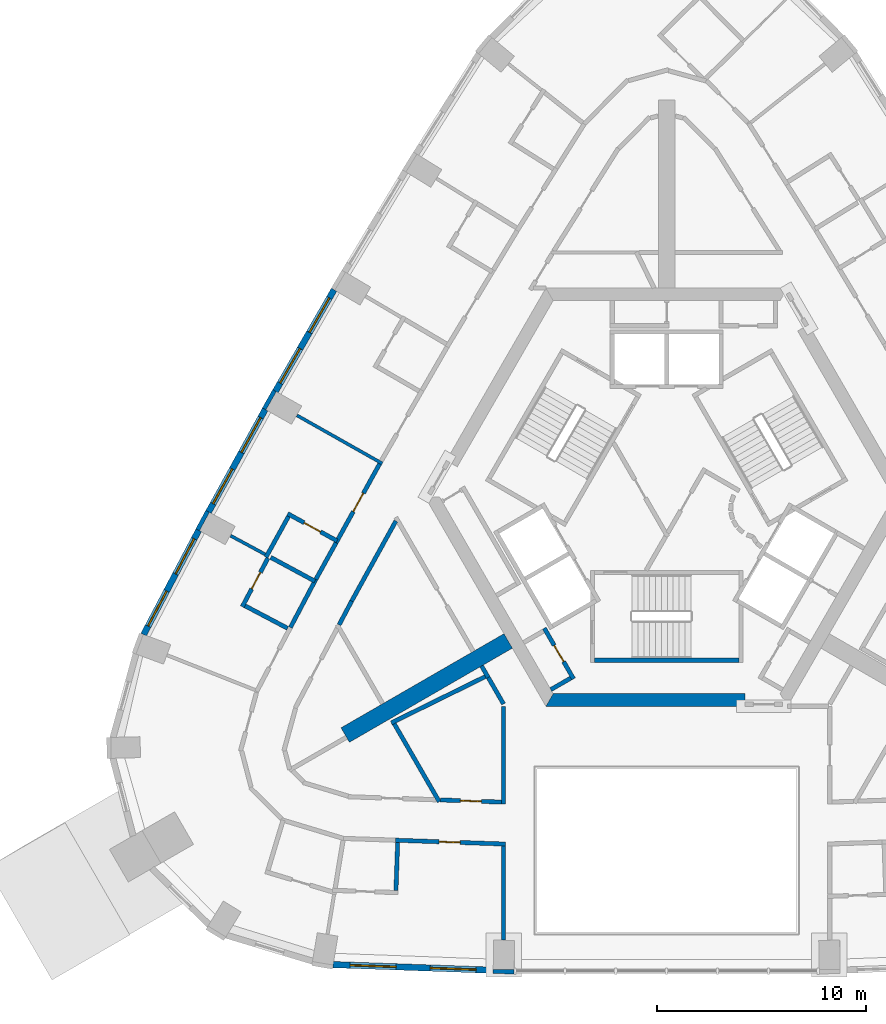
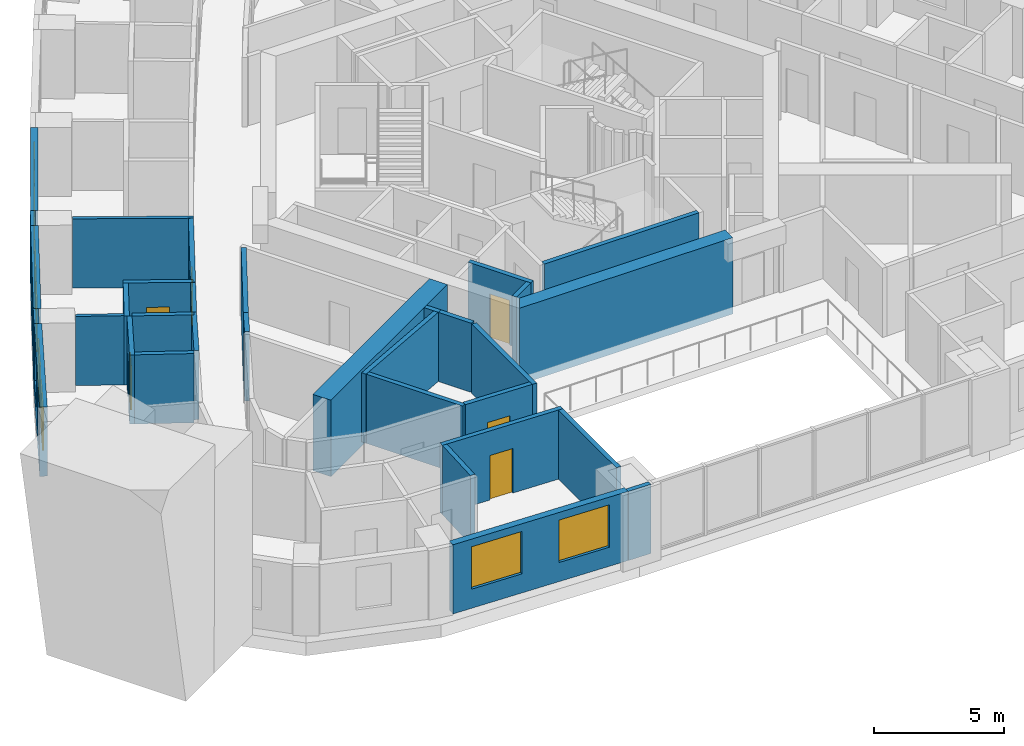
# One storey, part 4 of 14: 33 walls, 8 windows, 6 doors, 14 openings.
"""IFC4 building model written with IfcOpenShell, lengths in metres."""

from ifc_helpers import new_model, si_unit, direction, frame, frame_2d, origin, place, context, subcontext, project, spatial, polyline, rectangle, outline, extrude, material, layer, layer_set, type_object, element, fill, save


model = new_model("IFC4")

# Units and contexts
model_context = context("Model", 3, precision=1e-05, world=origin(), true_north=direction((0.0, 1.0)))
body_context = subcontext(model_context, "Body", "Model", "MODEL_VIEW")
ifc_project = project(units=[si_unit("LENGTHUNIT", "METRE"), si_unit("AREAUNIT", "SQUARE_METRE"), si_unit("VOLUMEUNIT", "CUBIC_METRE"), si_unit("PLANEANGLEUNIT", "RADIAN"), si_unit("MASSUNIT", "GRAM", prefix="KILO")], contexts=[model_context])

# Site, building, storey
site_placement = place(None, origin())
site = spatial("IfcSite", under=ifc_project, at=site_placement, CompositionType="ELEMENT")
building_placement = place(site_placement, origin())
building = spatial("IfcBuilding", under=site, at=building_placement, Name="Entoto Arch Interchange Tower", CompositionType="ELEMENT")
storey_placement = place(building_placement, frame((0.0, 0.0, 252.199951171875)))
storey = spatial("IfcBuildingStorey", under=building, at=storey_placement, Name="L57", CompositionType="ELEMENT", Elevation=252.199951171875)

# Walls
ifc_material_1 = material(Name="Concrete C40/50", Category="concrete")
ifc_layer_1 = layer(ifc_material_1, 0.800048828125)
ifc_layer_set_1 = layer_set([ifc_layer_1], Name="Concrete C40/50")
wall_type_1 = type_object("IfcWallType", Name="Buttress wall 800 C40/50", PredefinedType="SHEAR", material=ifc_layer_set_1)
wall_1_placement = place(storey_placement, frame((-7.577880859375, -4.375, -0.33984375), z_axis=(0.0, 0.0, 1.0), x_axis=(-0.866024315419, -0.5000018851, 0.0)))
element("IfcWall", 1, at=wall_1_placement, inside=storey, type_object=wall_type_1, Name="Buttress wall SW L57", PredefinedType="SHEAR", context=body_context, shape_type="SweptSolid", body=[
    extrude(rectangle(XDim=9.0, YDim=0.800048828125, at=frame_2d((4.5, 0.0))), origin(), (0.0, 0.0, 1.0), 3.599853515625),
])
ifc_layer_2 = layer(ifc_material_1, 0.60009765625)
ifc_layer_set_2 = layer_set([ifc_layer_2], Name="Concrete C40/50")
wall_type_2 = type_object("IfcWallType", Name="Core wall 600 C40/50", PredefinedType="SHEAR", material=ifc_layer_set_2)
wall_2_placement = place(storey_placement, frame((0.0, 0.0, -0.33984375)))
element("IfcWall", 2, at=wall_2_placement, inside=storey, type_object=wall_type_2, Name="Core wall S L57", PredefinedType="SHEAR", context=body_context, shape_type="SweptSolid", body=[
    extrude(outline(polyline([(3.75, -7.5), (3.75, -6.89990234375), (-5.427001953125, -6.89990234375), (-5.77392578125, -7.5), (3.75, -7.5)])), origin(), (0.0, 0.0, 1.0), 3.599853515625),
])
ifc_material_2 = material(Name="Gypsum board partition on steel studs", Category="steel")
ifc_layer_3 = layer(ifc_material_2, 0.14990234375)
ifc_layer_set_3 = layer_set([ifc_layer_3], Name="Gypsum board partition on steel studs")
wall_type_3 = type_object("IfcWallType", Name="PARTITION 150", PredefinedType="PARTITIONING", material=ifc_layer_set_3)
wall_3_placement = place(storey_placement, frame((-13.60205078125, 4.110107421875, 0.0), z_axis=(0.0, 0.0, 1.0), x_axis=(-0.870787203306, 0.491660092502, 0.0)))
element("IfcWall", 3, at=wall_3_placement, inside=storey, type_object=wall_type_3, Name="wall:L57:p167", PredefinedType="PARTITIONING", context=body_context, shape_type="SweptSolid", body=[
    extrude(rectangle(XDim=4.6796875, YDim=0.14990234375, at=frame_2d((2.33984375, 0.0))), origin(), (0.0, 0.0, 1.0), 3.260009765625),
])
wall_4_placement = place(storey_placement, frame((-19.198974609375, -0.235107421875, 0.0), z_axis=(0.0, 0.0, 1.0), x_axis=(-0.880166754904, 0.474664601126, 0.0)))
element("IfcWall", 4, at=wall_4_placement, inside=storey, type_object=wall_type_3, Name="wall:L57:p170", PredefinedType="PARTITIONING", context=body_context, shape_type="SweptSolid", body=[
    extrude(rectangle(XDim=1.88134765625, YDim=0.14990234375, at=frame_2d((0.940673828125, 0.0))), origin(), (0.0, 0.0, 1.0), 3.260009765625),
])
ifc_layer_4 = layer(ifc_material_2, 0.199951171875)
ifc_layer_set_4 = layer_set([ifc_layer_4], Name="Gypsum board partition on steel studs")
wall_type_4 = type_object("IfcWallType", Name="PARTITION 200", PredefinedType="PARTITIONING", material=ifc_layer_set_4)
wall_5_placement = place(storey_placement, frame((-8.531982421875, -6.123046875, 0.0), z_axis=(0.0, 0.0, 1.0), x_axis=(-0.499977104415, 0.866038622153, 0.0)))
element("IfcWall", 5, at=wall_5_placement, inside=storey, type_object=wall_type_4, Name="wall:L57:p025", PredefinedType="PARTITIONING", context=body_context, shape_type="SweptSolid", body=[
    extrude(rectangle(XDim=0.63623046875, YDim=0.199951171875, at=frame_2d((0.318115234375, 0.0))), origin(), (0.0, 0.0, 1.0), 3.260009765625),
])
wall_6_placement = place(storey_placement, frame((-12.949951171875, 1.360107421875, 0.0), z_axis=(0.0, 0.0, 1.0), x_axis=(-0.483418231124, -0.875389521194, 0.0)))
element("IfcWall", 6, at=wall_6_placement, inside=storey, type_object=wall_type_4, Name="wall:L57:p026", PredefinedType="PARTITIONING", context=body_context, shape_type="SweptSolid", body=[
    extrude(rectangle(XDim=4.373046875, YDim=0.199951171875, at=frame_2d((2.1865234375, 0.0))), origin(), (0.0, 0.0, 1.0), 3.260009765625),
])
wall_7_placement = place(storey_placement, frame((-15.06396484375, -2.468017578125, 0.0), z_axis=(0.0, 0.0, 1.0), x_axis=(-0.467126648849, -0.884190417238, 0.0)))
element("IfcWall", 7, at=wall_7_placement, inside=storey, type_object=wall_type_4, Name="wall:L57:p027", PredefinedType="PARTITIONING", context=body_context, shape_type="SweptSolid", body=[
    extrude(rectangle(XDim=1.282470703125, YDim=0.199951171875, at=frame_2d((0.64111328125, 0.0))), origin(), (0.0, 0.0, 1.0), 3.260009765625),
])
wall_8_placement = place(storey_placement, frame((-7.800048828125, -7.389892578125, 0.0), z_axis=(0.0, 0.0, 1.0), x_axis=(-0.500266477503, 0.865871498253, 0.0)))
element("IfcWall", 8, at=wall_8_placement, inside=storey, type_object=wall_type_4, Name="wall:L57:p028", PredefinedType="PARTITIONING", context=body_context, shape_type="SweptSolid", body=[
    extrude(rectangle(XDim=1.463134765625, YDim=0.199951171875, at=frame_2d((0.7314453125, 0.0))), origin(), (0.0, 0.0, 1.0), 3.260009765625),
])

# Wall, opening, door
wall_9_placement = place(storey_placement, frame((-10.825927734375, -11.97802734375, 0.0), z_axis=(0.0, 0.0, 1.0), x_axis=(0.999380679818, -0.035188873332, 0.0)))
wall_9 = element("IfcWall", 9, at=wall_9_placement, inside=storey, type_object=wall_type_4, Name="wall:L57:p029", PredefinedType="PARTITIONING", context=body_context, shape_type="SweptSolid", body=[
    extrude(rectangle(XDim=2.927734375, YDim=0.199951171875, at=frame_2d((1.4638671875, 0.0))), origin(), (0.0, 0.0, 1.0), 3.260009765625),
])
opening_1_placement = place(wall_9_placement, frame((0.964111328125, 0.0, 0.0)))
opening_1 = element("IfcOpeningElement", 10, at=opening_1_placement, cuts=wall_9, Name="Opening L57-D41", PredefinedType="OPENING", context=body_context, shape_type="SweptSolid", body=[
    extrude(rectangle(XDim=1.0, YDim=2.10009765625, at=frame_2d((0.5, 1.050048828125))), frame((0.0, 0.10986328125, 0.0), z_axis=(0.0, -1.0, 0.0), x_axis=(1.0, 0.0, 0.0)), (0.0, 0.0, 1.0), 0.219970703125),
])
ifc_material_3 = material(Name="Timber door leaf in Steel S235 frame", Category="steel")
door_type_1 = type_object("IfcDoorType", Name="DOOR DS-10 1000x2100", OperationType="SINGLE_SWING_LEFT", PredefinedType="DOOR", material=ifc_material_3)
door_1_placement = place(opening_1_placement, origin())
door_1 = element("IfcDoor", 11, at=door_1_placement, inside=storey, type_object=door_type_1, Name="door:L57:41", OperationType="SINGLE_SWING_LEFT", OverallHeight=2.10009765625, OverallWidth=1.0, PredefinedType="DOOR", context=body_context, shape_type="SweptSolid", body=[
    extrude(rectangle(XDim=1.0, YDim=2.10009765625, at=frame_2d((0.5, 1.050048828125))), frame((0.0, 0.02490234375, 0.0), z_axis=(0.0, -1.0, 0.0), x_axis=(1.0, 0.0, 0.0)), (0.0, 0.0, 1.0), 0.050048828125),
])
fill(opening_1, door_1)

wall_10_placement = place(storey_placement, frame((-15.80908203125, 0.320068359375, 0.0), z_axis=(0.0, 0.0, 1.0), x_axis=(0.483322920175, 0.875442148193, 0.0)))
wall_10 = element("IfcWall", 12, at=wall_10_placement, inside=storey, type_object=wall_type_4, Name="wall:L57:p062", PredefinedType="PARTITIONING", context=body_context, shape_type="SweptSolid", body=[
    extrude(rectangle(XDim=4.309814453125, YDim=0.199951171875, at=frame_2d((2.15478515625, 0.0))), origin(), (0.0, 0.0, 1.0), 3.260009765625),
])
opening_2_placement = place(wall_10_placement, frame((1.705078125, 0.0, 0.0)))
opening_2 = element("IfcOpeningElement", 13, at=opening_2_placement, cuts=wall_10, Name="Opening L57-D25", PredefinedType="OPENING", context=body_context, shape_type="SweptSolid", body=[
    extrude(rectangle(XDim=1.0, YDim=2.10009765625, at=frame_2d((0.5, 1.050048828125))), frame((0.0, 0.10986328125, 0.0), z_axis=(0.0, -1.0, 0.0), x_axis=(1.0, 0.0, 0.0)), (0.0, 0.0, 1.0), 0.219970703125),
])
ifc_material_4 = material(Name="Fire-rated Steel S235 door and frame", Category="steel")
door_type_2 = type_object("IfcDoorType", Name="DOOR FD-10 1000x2100", OperationType="SINGLE_SWING_LEFT", PredefinedType="DOOR", material=ifc_material_4)
door_2_placement = place(opening_2_placement, origin())
door_2 = element("IfcDoor", 14, at=door_2_placement, inside=storey, type_object=door_type_2, Name="door:L57:25", OperationType="SINGLE_SWING_RIGHT", OverallHeight=2.10009765625, OverallWidth=1.0, PredefinedType="DOOR", context=body_context, shape_type="SweptSolid", body=[
    extrude(rectangle(XDim=1.0, YDim=2.10009765625, at=frame_2d((0.5, 1.050048828125))), frame((0.0, 0.02490234375, 0.0), z_axis=(0.0, -1.0, 0.0), x_axis=(1.0, 0.0, 0.0)), (0.0, 0.0, 1.0), 0.050048828125),
])
fill(opening_2, door_2)

# Walls
wall_11_placement = place(storey_placement, frame((-16.77587890625, -1.429931640625, 0.0), z_axis=(0.0, 0.0, 1.0), x_axis=(0.48360724937, 0.87528511261, 0.0)))
element("IfcWall", 15, at=wall_11_placement, inside=storey, type_object=wall_type_4, Name="wall:L57:p063", PredefinedType="PARTITIONING", context=body_context, shape_type="SweptSolid", body=[
    extrude(rectangle(XDim=1.9970703125, YDim=0.199951171875, at=frame_2d((0.99853515625, 0.0))), origin(), (0.0, 0.0, 1.0), 3.260009765625),
])
wall_12_placement = place(storey_placement, frame((-17.990966796875, -3.72900390625, 0.0), z_axis=(0.0, 0.0, 1.0), x_axis=(0.466450569784, 0.88454726609, 0.0)))
element("IfcWall", 16, at=wall_12_placement, inside=storey, type_object=wall_type_4, Name="wall:L57:p065", PredefinedType="PARTITIONING", context=body_context, shape_type="SweptSolid", body=[
    extrude(rectangle(XDim=2.600341796875, YDim=0.199951171875, at=frame_2d((1.30029296875, 0.0))), origin(), (0.0, 0.0, 1.0), 3.260009765625),
])

# Wall, opening, door
wall_13_placement = place(storey_placement, frame((-7.699951171875, -14.089111328125, 0.0), z_axis=(0.0, 0.0, 1.0), x_axis=(-0.999388410674, 0.034968623214, 0.0)))
wall_13 = element("IfcWall", 17, at=wall_13_placement, inside=storey, type_object=wall_type_4, Name="wall:L57:p070", PredefinedType="PARTITIONING", context=body_context, shape_type="SweptSolid", body=[
    extrude(rectangle(XDim=5.26416015625, YDim=0.199951171875, at=frame_2d((2.632080078125, 0.0))), origin(), (0.0, 0.0, 1.0), 3.260009765625),
])
opening_3_placement = place(wall_13_placement, frame((2.181884765625, 0.0, 0.0)))
opening_3 = element("IfcOpeningElement", 18, at=opening_3_placement, cuts=wall_13, Name="Opening L57-D31", PredefinedType="OPENING", context=body_context, shape_type="SweptSolid", body=[
    extrude(rectangle(XDim=1.0, YDim=2.10009765625, at=frame_2d((0.5, 1.050048828125))), frame((0.0, 0.10986328125, 0.0), z_axis=(0.0, -1.0, 0.0), x_axis=(1.0, 0.0, 0.0)), (0.0, 0.0, 1.0), 0.219970703125),
])
door_3_placement = place(opening_3_placement, origin())
door_3 = element("IfcDoor", 19, at=door_3_placement, inside=storey, type_object=door_type_2, Name="door:L57:31", OperationType="SINGLE_SWING_LEFT", OverallHeight=2.10009765625, OverallWidth=1.0, PredefinedType="DOOR", context=body_context, shape_type="SweptSolid", body=[
    extrude(rectangle(XDim=1.0, YDim=2.10009765625, at=frame_2d((0.5, 1.050048828125))), frame((0.0, 0.02490234375, 0.0), z_axis=(0.0, -1.0, 0.0), x_axis=(1.0, 0.0, 0.0)), (0.0, 0.0, 1.0), 0.050048828125),
])
fill(opening_3, door_3)

wall_14_placement = place(storey_placement, frame((-5.85107421875, -3.764892578125, 0.0), z_axis=(0.0, 0.0, 1.0), x_axis=(0.500011755427, -0.866018616679, 0.0)))
wall_14 = element("IfcWall", 20, at=wall_14_placement, inside=storey, type_object=wall_type_4, Name="wall:L57:p087", PredefinedType="PARTITIONING", context=body_context, shape_type="SweptSolid", body=[
    extrude(rectangle(XDim=2.80029296875, YDim=0.199951171875, at=frame_2d((1.400146484375, 0.0))), origin(), (0.0, 0.0, 1.0), 3.260009765625),
])
opening_4_placement = place(wall_14_placement, frame((0.949951171875, 0.0, 0.0)))
opening_4 = element("IfcOpeningElement", 21, at=opening_4_placement, cuts=wall_14, Name="Opening L57-D53", PredefinedType="OPENING", context=body_context, shape_type="SweptSolid", body=[
    extrude(rectangle(XDim=0.89990234375, YDim=2.10009765625, at=frame_2d((0.449951171875, 1.050048828125))), frame((0.0, 0.10986328125, 0.0), z_axis=(0.0, -1.0, 0.0), x_axis=(1.0, 0.0, 0.0)), (0.0, 0.0, 1.0), 0.219970703125),
])
door_type_3 = type_object("IfcDoorType", Name="DOOR DS-09 900x2100", OperationType="SINGLE_SWING_LEFT", PredefinedType="DOOR", material=ifc_material_3)
door_4_placement = place(opening_4_placement, origin())
door_4 = element("IfcDoor", 22, at=door_4_placement, inside=storey, type_object=door_type_3, Name="door:L57:53", OperationType="SINGLE_SWING_RIGHT", OverallHeight=2.10009765625, OverallWidth=0.89990234375, PredefinedType="DOOR", context=body_context, shape_type="SweptSolid", body=[
    extrude(rectangle(XDim=0.89990234375, YDim=2.10009765625, at=frame_2d((0.449951171875, 1.050048828125))), frame((0.0, 0.02490234375, 0.0), z_axis=(0.0, -1.0, 0.0), x_axis=(1.0, 0.0, 0.0)), (0.0, 0.0, 1.0), 0.050048828125),
])
fill(opening_4, door_4)

# Walls
wall_15_placement = place(storey_placement, frame((-4.587890625, -6.153076171875, 0.0), z_axis=(0.0, 0.0, 1.0), x_axis=(-0.86621513555, -0.499671230855, 0.0)))
element("IfcWall", 23, at=wall_15_placement, inside=storey, type_object=wall_type_4, Name="wall:L57:p088", PredefinedType="PARTITIONING", context=body_context, shape_type="SweptSolid", body=[
    extrude(rectangle(XDim=1.100341796875, YDim=0.199951171875, at=frame_2d((0.55029296875, 0.0))), origin(), (0.0, 0.0, 1.0), 3.260009765625),
])
wall_16_placement = place(storey_placement, frame((-7.800048828125, -12.18408203125, 0.0), z_axis=(0.0, 0.0, 1.0), x_axis=(0.0, 1.0, 0.0)))
element("IfcWall", 24, at=wall_16_placement, inside=storey, type_object=wall_type_4, Name="wall:L57:p106", PredefinedType="PARTITIONING", context=body_context, shape_type="SweptSolid", body=[
    extrude(rectangle(XDim=4.68505859375, YDim=0.199951171875, at=frame_2d((2.342529296875, 0.0))), origin(), (0.0, 0.0, 1.0), 3.260009765625),
])
wall_17_placement = place(storey_placement, frame((-7.800048828125, -18.6689453125, 0.0), z_axis=(0.0, 0.0, 1.0), x_axis=(0.0, 1.0, 0.0)))
element("IfcWall", 25, at=wall_17_placement, inside=storey, type_object=wall_type_4, Name="wall:L57:p109", PredefinedType="PARTITIONING", context=body_context, shape_type="SweptSolid", body=[
    extrude(rectangle(XDim=4.48388671875, YDim=0.199951171875, at=frame_2d((2.241943359375, 0.0))), origin(), (0.0, 0.0, 1.0), 3.260009765625),
])
wall_18_placement = place(storey_placement, frame((-8.58203125, -6.035888671875, 0.0), z_axis=(0.0, 0.0, 1.0), x_axis=(-0.897105141673, -0.441817116897, 0.0)))
element("IfcWall", 26, at=wall_18_placement, inside=storey, type_object=wall_type_4, Name="wall:L57:p118", PredefinedType="PARTITIONING", context=body_context, shape_type="SweptSolid", body=[
    extrude(rectangle(XDim=5.11083984375, YDim=0.199951171875, at=frame_2d((2.555419921875, 0.0))), origin(), (0.0, 0.0, 1.0), 3.260009765625),
])
wall_19_placement = place(storey_placement, frame((-10.8759765625, -12.06201171875, 0.0), z_axis=(0.0, 0.0, 1.0), x_axis=(-0.499977877545, 0.866038175813, 0.0)))
element("IfcWall", 27, at=wall_19_placement, inside=storey, type_object=wall_type_4, Name="wall:L57:p120", PredefinedType="PARTITIONING", context=body_context, shape_type="SweptSolid", body=[
    extrude(rectangle(XDim=4.302490234375, YDim=0.199951171875, at=frame_2d((2.1513671875, 0.0))), origin(), (0.0, 0.0, 1.0), 3.260009765625),
])

# Wall, opening, door
wall_20_placement = place(storey_placement, frame((-15.760986328125, 0.407958984375, 0.0), z_axis=(0.0, 0.0, 1.0), x_axis=(-0.875391622802, 0.483414425445, 0.0)))
wall_20 = element("IfcWall", 28, at=wall_20_placement, inside=storey, type_object=wall_type_4, Name="wall:L57:p168", PredefinedType="PARTITIONING", context=body_context, shape_type="SweptSolid", body=[
    extrude(rectangle(XDim=2.699462890625, YDim=0.199951171875, at=frame_2d((1.349609375, 0.0))), origin(), (0.0, 0.0, 1.0), 3.260009765625),
])
opening_5_placement = place(wall_20_placement, frame((0.89990234375, 0.0, 0.0)))
opening_5 = element("IfcOpeningElement", 29, at=opening_5_placement, cuts=wall_20, Name="Opening L57-D26", PredefinedType="OPENING", context=body_context, shape_type="SweptSolid", body=[
    extrude(rectangle(XDim=0.89990234375, YDim=2.10009765625, at=frame_2d((0.449951171875, 1.050048828125))), frame((0.0, 0.10986328125, 0.0), z_axis=(0.0, -1.0, 0.0), x_axis=(1.0, 0.0, 0.0)), (0.0, 0.0, 1.0), 0.219970703125),
])
door_5_placement = place(opening_5_placement, origin())
door_5 = element("IfcDoor", 30, at=door_5_placement, inside=storey, type_object=door_type_3, Name="door:L57:26", OperationType="SINGLE_SWING_LEFT", OverallHeight=2.10009765625, OverallWidth=0.89990234375, PredefinedType="DOOR", context=body_context, shape_type="SweptSolid", body=[
    extrude(rectangle(XDim=0.89990234375, YDim=2.10009765625, at=frame_2d((0.449951171875, 1.050048828125))), frame((0.0, 0.02490234375, 0.0), z_axis=(0.0, -1.0, 0.0), x_axis=(1.0, 0.0, 0.0)), (0.0, 0.0, 1.0), 0.050048828125),
])
fill(opening_5, door_5)

# Walls
wall_21_placement = place(storey_placement, frame((-18.0849609375, 1.576904296875, 0.0), z_axis=(0.0, 0.0, 1.0), x_axis=(-0.483329790342, -0.875438355207, 0.0)))
element("IfcWall", 31, at=wall_21_placement, inside=storey, type_object=wall_type_4, Name="wall:L57:p169", PredefinedType="PARTITIONING", context=body_context, shape_type="SweptSolid", body=[
    extrude(rectangle(XDim=2.22412109375, YDim=0.199951171875, at=frame_2d((1.112060546875, 0.0))), origin(), (0.0, 0.0, 1.0), 3.260009765625),
])
wall_22_placement = place(storey_placement, frame((-16.823974609375, -1.51806640625, 0.0), z_axis=(0.0, 0.0, 1.0), x_axis=(-0.879879019938, 0.47519775912, 0.0)))
element("IfcWall", 32, at=wall_22_placement, inside=storey, type_object=wall_type_4, Name="wall:L57:p171", PredefinedType="PARTITIONING", context=body_context, shape_type="SweptSolid", body=[
    extrude(rectangle(XDim=2.399169921875, YDim=0.199951171875, at=frame_2d((1.19970703125, 0.0))), origin(), (0.0, 0.0, 1.0), 3.260009765625),
])

# Wall, opening, door
wall_23_placement = place(storey_placement, frame((-19.069091796875, -0.41796875, 0.0), z_axis=(0.0, 0.0, 1.0), x_axis=(-0.467007153784, -0.884253537349, 0.0)))
wall_23 = element("IfcWall", 33, at=wall_23_placement, inside=storey, type_object=wall_type_4, Name="wall:L57:p172", PredefinedType="PARTITIONING", context=body_context, shape_type="SweptSolid", body=[
    extrude(rectangle(XDim=2.624755859375, YDim=0.199951171875, at=frame_2d((1.3125, 0.0))), origin(), (0.0, 0.0, 1.0), 3.260009765625),
])
opening_6_placement = place(wall_23_placement, frame((0.762939453125, 0.0, 0.0)))
opening_6 = element("IfcOpeningElement", 34, at=opening_6_placement, cuts=wall_23, Name="Opening L57-D28", PredefinedType="OPENING", context=body_context, shape_type="SweptSolid", body=[
    extrude(rectangle(XDim=0.89990234375, YDim=2.10009765625, at=frame_2d((0.449951171875, 1.050048828125))), frame((0.0, 0.10986328125, 0.0), z_axis=(0.0, -1.0, 0.0), x_axis=(1.0, 0.0, 0.0)), (0.0, 0.0, 1.0), 0.219970703125),
])
door_6_placement = place(opening_6_placement, origin())
door_6 = element("IfcDoor", 35, at=door_6_placement, inside=storey, type_object=door_type_3, Name="door:L57:28", OperationType="SINGLE_SWING_LEFT", OverallHeight=2.10009765625, OverallWidth=0.89990234375, PredefinedType="DOOR", context=body_context, shape_type="SweptSolid", body=[
    extrude(rectangle(XDim=0.89990234375, YDim=2.10009765625, at=frame_2d((0.449951171875, 1.050048828125))), frame((0.0, 0.02490234375, 0.0), z_axis=(0.0, -1.0, 0.0), x_axis=(1.0, 0.0, 0.0)), (0.0, 0.0, 1.0), 0.050048828125),
])
fill(opening_6, door_6)

# Walls
wall_24_placement = place(storey_placement, frame((-20.159912109375, -2.697021484375, 0.0), z_axis=(0.0, 0.0, 1.0), x_axis=(0.884293452572, -0.466931568583, 0.0)))
element("IfcWall", 36, at=wall_24_placement, inside=storey, type_object=wall_type_4, Name="wall:L57:p173", PredefinedType="PARTITIONING", context=body_context, shape_type="SweptSolid", body=[
    extrude(rectangle(XDim=2.300048828125, YDim=0.199951171875, at=frame_2d((1.14990234375, 0.0))), origin(), (0.0, 0.0, 1.0), 3.260009765625),
])
wall_25_placement = place(storey_placement, frame((-12.945068359375, -16.306884765625, 0.0), z_axis=(0.0, 0.0, 1.0), x_axis=(0.035252193458, 0.999378448265, 0.0)))
element("IfcWall", 37, at=wall_25_placement, inside=storey, type_object=wall_type_4, Name="wall:L57:p180", PredefinedType="PARTITIONING", context=body_context, shape_type="SweptSolid", body=[
    extrude(rectangle(XDim=2.29931640625, YDim=0.199951171875, at=frame_2d((1.149658203125, 0.0))), origin(), (0.0, 0.0, 1.0), 3.260009765625),
])
ifc_layer_5 = layer(ifc_material_1, 0.199951171875)
ifc_layer_set_5 = layer_set([ifc_layer_5], Name="Concrete C40/50")
wall_type_5 = type_object("IfcWallType", Name="STAIR ENCLOSURE WALL 200", PredefinedType="STANDARD", material=ifc_layer_set_5)
wall_26_placement = place(storey_placement, frame((-3.449951171875, -5.300048828125, 0.0), z_axis=(0.0, 0.0, 1.0), x_axis=(1.0, 0.0, 0.0)))
element("IfcWall", 38, at=wall_26_placement, inside=storey, type_object=wall_type_5, Name="Stair wall ST-S back", PredefinedType="STANDARD", context=body_context, shape_type="SweptSolid", body=[
    extrude(rectangle(XDim=6.89990234375, YDim=0.199951171875, at=frame_2d((3.449951171875, 0.0))), origin(), (0.0, 0.0, 1.0), 3.260009765625),
])

# Wall, openings, windows
ifc_material_5 = material(Name="Welded tuff (ignimbrite) cladding, warm buff", Category="masonry")
ifc_layer_6 = layer(ifc_material_5, 0.300048828125)
ifc_layer_set_6 = layer_set([ifc_layer_6], Name="Welded tuff (ignimbrite) cladding, warm buff")
wall_type_6 = type_object("IfcWallType", Name="STONE INFILL WALL 300", PredefinedType="STANDARD", material=ifc_layer_set_6)
wall_27_placement = place(storey_placement, frame((-15.951904296875, -19.85400390625, 0.0), z_axis=(0.0, 0.0, 1.0), x_axis=(0.999387577449, -0.034992428331, 0.0)))
wall_27 = element("IfcWall", 39, at=wall_27_placement, inside=storey, type_object=wall_type_6, Name="Facade wall S-01 L57", PredefinedType="STANDARD", context=body_context, shape_type="SweptSolid", body=[
    extrude(rectangle(XDim=7.66064453125, YDim=0.300048828125, at=frame_2d((3.830322265625, 0.0))), origin(), (0.0, 0.0, 1.0), 3.260009765625),
])
opening_7_placement = place(wall_27_placement, frame((0.81494140625, 0.0, 0.89990234375)))
opening_7 = element("IfcOpeningElement", 40, at=opening_7_placement, cuts=wall_27, Name="Opening WH-A", PredefinedType="OPENING", context=body_context, shape_type="SweptSolid", body=[
    extrude(rectangle(XDim=2.199951171875, YDim=2.0, at=frame_2d((1.10009765625, 1.0))), frame((0.0, 0.16015625, 0.0), z_axis=(0.0, -1.0, 0.0), x_axis=(1.0, 0.0, 0.0)), (0.0, 0.0, 1.0), 0.320068359375),
])
opening_8_placement = place(wall_27_placement, frame((4.64599609375, 0.0, 0.89990234375)))
opening_8 = element("IfcOpeningElement", 41, at=opening_8_placement, cuts=wall_27, Name="Opening WH-A", PredefinedType="OPENING", context=body_context, shape_type="SweptSolid", body=[
    extrude(rectangle(XDim=2.199951171875, YDim=2.0, at=frame_2d((1.10009765625, 1.0))), frame((0.0, 0.16015625, 0.0), z_axis=(0.0, -1.0, 0.0), x_axis=(1.0, 0.0, 0.0)), (0.0, 0.0, 1.0), 0.320068359375),
])
ifc_material_6 = material(Name="Clear glass, low-e double glazed", Category="glass")
window_type_1 = type_object("IfcWindowType", Name="WINDOW WH-A 2200x2000", PartitioningType="DOUBLE_PANEL_VERTICAL", PredefinedType="WINDOW", material=ifc_material_6)
window_1_placement = place(opening_7_placement, origin())
window_1 = element("IfcWindow", 42, at=window_1_placement, inside=storey, type_object=window_type_1, Name="Window WH-A S-01 L57", OverallHeight=2.0, OverallWidth=2.199951171875, PartitioningType="SINGLE_PANEL", PredefinedType="WINDOW", context=body_context, shape_type="SweptSolid", body=[
    extrude(rectangle(XDim=2.199951171875, YDim=2.0, at=frame_2d((1.10009765625, 1.0))), frame((0.0, 0.030029296875, 0.0), z_axis=(0.0, -1.0, 0.0), x_axis=(1.0, 0.0, 0.0)), (0.0, 0.0, 1.0), 0.06005859375),
])
fill(opening_7, window_1)
window_2_placement = place(opening_8_placement, origin())
window_2 = element("IfcWindow", 43, at=window_2_placement, inside=storey, type_object=window_type_1, Name="Window WH-A S-01 L57", OverallHeight=2.0, OverallWidth=2.199951171875, PartitioningType="SINGLE_PANEL", PredefinedType="WINDOW", context=body_context, shape_type="SweptSolid", body=[
    extrude(rectangle(XDim=2.199951171875, YDim=2.0, at=frame_2d((1.10009765625, 1.0))), frame((0.0, 0.030029296875, 0.0), z_axis=(0.0, -1.0, 0.0), x_axis=(1.0, 0.0, 0.0)), (0.0, 0.0, 1.0), 0.06005859375),
])
fill(opening_8, window_2)

wall_28_placement = place(storey_placement, frame((-15.906005859375, 12.41796875, 0.0), z_axis=(0.0, 0.0, 1.0), x_axis=(-0.500089564757, -0.865973687372, 0.0)))
wall_28 = element("IfcWall", 44, at=wall_28_placement, inside=storey, type_object=wall_type_6, Name="Facade wall NW-03 L57", PredefinedType="STANDARD", context=body_context, shape_type="SweptSolid", body=[
    extrude(rectangle(XDim=5.60302734375, YDim=0.300048828125, at=frame_2d((2.801513671875, 0.0))), origin(), (0.0, 0.0, 1.0), 3.260009765625),
])
opening_9_placement = place(wall_28_placement, frame((0.450927734375, 0.0, 0.89990234375)))
opening_9 = element("IfcOpeningElement", 45, at=opening_9_placement, cuts=wall_28, Name="Opening WH-C", PredefinedType="OPENING", context=body_context, shape_type="SweptSolid", body=[
    extrude(rectangle(XDim=1.89990234375, YDim=2.0, at=frame_2d((0.949951171875, 1.0))), frame((0.0, 0.16015625, 0.0), z_axis=(0.0, -1.0, 0.0), x_axis=(1.0, 0.0, 0.0)), (0.0, 0.0, 1.0), 0.320068359375),
])
opening_10_placement = place(wall_28_placement, frame((3.251953125, 0.0, 0.89990234375)))
opening_10 = element("IfcOpeningElement", 46, at=opening_10_placement, cuts=wall_28, Name="Opening WH-C", PredefinedType="OPENING", context=body_context, shape_type="SweptSolid", body=[
    extrude(rectangle(XDim=1.89990234375, YDim=2.0, at=frame_2d((0.949951171875, 1.0))), frame((0.0, 0.16015625, 0.0), z_axis=(0.0, -1.0, 0.0), x_axis=(1.0, 0.0, 0.0)), (0.0, 0.0, 1.0), 0.320068359375),
])
window_type_2 = type_object("IfcWindowType", Name="WINDOW WH-C 1900x2000", PartitioningType="DOUBLE_PANEL_VERTICAL", PredefinedType="WINDOW", material=ifc_material_6)
window_3_placement = place(opening_9_placement, origin())
window_3 = element("IfcWindow", 47, at=window_3_placement, inside=storey, type_object=window_type_2, Name="Window WH-C NW-03 L57", OverallHeight=2.0, OverallWidth=1.89990234375, PartitioningType="SINGLE_PANEL", PredefinedType="WINDOW", context=body_context, shape_type="SweptSolid", body=[
    extrude(rectangle(XDim=1.89990234375, YDim=2.0, at=frame_2d((0.949951171875, 1.0))), frame((0.0, 0.030029296875, 0.0), z_axis=(0.0, -1.0, 0.0), x_axis=(1.0, 0.0, 0.0)), (0.0, 0.0, 1.0), 0.06005859375),
])
fill(opening_9, window_3)
window_4_placement = place(opening_10_placement, origin())
window_4 = element("IfcWindow", 48, at=window_4_placement, inside=storey, type_object=window_type_2, Name="Window WH-C NW-03 L57", OverallHeight=2.0, OverallWidth=1.89990234375, PartitioningType="SINGLE_PANEL", PredefinedType="WINDOW", context=body_context, shape_type="SweptSolid", body=[
    extrude(rectangle(XDim=1.89990234375, YDim=2.0, at=frame_2d((0.949951171875, 1.0))), frame((0.0, 0.030029296875, 0.0), z_axis=(0.0, -1.0, 0.0), x_axis=(1.0, 0.0, 0.0)), (0.0, 0.0, 1.0), 0.06005859375),
])
fill(opening_10, window_4)

wall_29_placement = place(storey_placement, frame((-19.198974609375, 6.697021484375, 0.0), z_axis=(0.0, 0.0, 1.0), x_axis=(-0.483469062695, -0.875361448441, 0.0)))
wall_29 = element("IfcWall", 49, at=wall_29_placement, inside=storey, type_object=wall_type_6, Name="Facade wall NW-04 L57", PredefinedType="STANDARD", context=body_context, shape_type="SweptSolid", body=[
    extrude(rectangle(XDim=5.601318359375, YDim=0.300048828125, at=frame_2d((2.80078125, 0.0))), origin(), (0.0, 0.0, 1.0), 3.260009765625),
])
opening_11_placement = place(wall_29_placement, frame((0.449951171875, 0.0, 0.89990234375)))
opening_11 = element("IfcOpeningElement", 50, at=opening_11_placement, cuts=wall_29, Name="Opening WH-C", PredefinedType="OPENING", context=body_context, shape_type="SweptSolid", body=[
    extrude(rectangle(XDim=1.89990234375, YDim=2.0, at=frame_2d((0.949951171875, 1.0))), frame((0.0, 0.16015625, 0.0), z_axis=(0.0, -1.0, 0.0), x_axis=(1.0, 0.0, 0.0)), (0.0, 0.0, 1.0), 0.320068359375),
])
opening_12_placement = place(wall_29_placement, frame((3.2509765625, 0.0, 0.89990234375)))
opening_12 = element("IfcOpeningElement", 51, at=opening_12_placement, cuts=wall_29, Name="Opening WH-C", PredefinedType="OPENING", context=body_context, shape_type="SweptSolid", body=[
    extrude(rectangle(XDim=1.89990234375, YDim=2.0, at=frame_2d((0.949951171875, 1.0))), frame((0.0, 0.16015625, 0.0), z_axis=(0.0, -1.0, 0.0), x_axis=(1.0, 0.0, 0.0)), (0.0, 0.0, 1.0), 0.320068359375),
])
window_5_placement = place(opening_11_placement, origin())
window_5 = element("IfcWindow", 52, at=window_5_placement, inside=storey, type_object=window_type_2, Name="Window WH-C NW-04 L57", OverallHeight=2.0, OverallWidth=1.89990234375, PartitioningType="SINGLE_PANEL", PredefinedType="WINDOW", context=body_context, shape_type="SweptSolid", body=[
    extrude(rectangle(XDim=1.89990234375, YDim=2.0, at=frame_2d((0.949951171875, 1.0))), frame((0.0, 0.030029296875, 0.0), z_axis=(0.0, -1.0, 0.0), x_axis=(1.0, 0.0, 0.0)), (0.0, 0.0, 1.0), 0.06005859375),
])
fill(opening_11, window_5)
window_6_placement = place(opening_12_placement, origin())
window_6 = element("IfcWindow", 53, at=window_6_placement, inside=storey, type_object=window_type_2, Name="Window WH-C NW-04 L57", OverallHeight=2.0, OverallWidth=1.89990234375, PartitioningType="SINGLE_PANEL", PredefinedType="WINDOW", context=body_context, shape_type="SweptSolid", body=[
    extrude(rectangle(XDim=1.89990234375, YDim=2.0, at=frame_2d((0.949951171875, 1.0))), frame((0.0, 0.030029296875, 0.0), z_axis=(0.0, -1.0, 0.0), x_axis=(1.0, 0.0, 0.0)), (0.0, 0.0, 1.0), 0.06005859375),
])
fill(opening_12, window_6)

wall_30_placement = place(storey_placement, frame((-22.381103515625, 0.916015625, 0.0), z_axis=(0.0, 0.0, 1.0), x_axis=(-0.466663589714, -0.884434900959, 0.0)))
wall_30 = element("IfcWall", 54, at=wall_30_placement, inside=storey, type_object=wall_type_6, Name="Facade wall NW-05 L57", PredefinedType="STANDARD", context=body_context, shape_type="SweptSolid", body=[
    extrude(rectangle(XDim=5.6376953125, YDim=0.300048828125, at=frame_2d((2.81884765625, 0.0))), origin(), (0.0, 0.0, 1.0), 3.260009765625),
])
opening_13_placement = place(wall_30_placement, frame((0.458984375, 0.0, 0.89990234375)))
opening_13 = element("IfcOpeningElement", 55, at=opening_13_placement, cuts=wall_30, Name="Opening WH-C", PredefinedType="OPENING", context=body_context, shape_type="SweptSolid", body=[
    extrude(rectangle(XDim=1.89990234375, YDim=2.0, at=frame_2d((0.949951171875, 1.0))), frame((0.0, 0.16015625, 0.0), z_axis=(0.0, -1.0, 0.0), x_axis=(1.0, 0.0, 0.0)), (0.0, 0.0, 1.0), 0.320068359375),
])
opening_14_placement = place(wall_30_placement, frame((3.278076171875, 0.0, 0.89990234375)))
opening_14 = element("IfcOpeningElement", 56, at=opening_14_placement, cuts=wall_30, Name="Opening WH-C", PredefinedType="OPENING", context=body_context, shape_type="SweptSolid", body=[
    extrude(rectangle(XDim=1.89990234375, YDim=2.0, at=frame_2d((0.949951171875, 1.0))), frame((0.0, 0.16015625, 0.0), z_axis=(0.0, -1.0, 0.0), x_axis=(1.0, 0.0, 0.0)), (0.0, 0.0, 1.0), 0.320068359375),
])
window_7_placement = place(opening_13_placement, origin())
window_7 = element("IfcWindow", 57, at=window_7_placement, inside=storey, type_object=window_type_2, Name="Window WH-C NW-05 L57", OverallHeight=2.0, OverallWidth=1.89990234375, PartitioningType="SINGLE_PANEL", PredefinedType="WINDOW", context=body_context, shape_type="SweptSolid", body=[
    extrude(rectangle(XDim=1.89990234375, YDim=2.0, at=frame_2d((0.949951171875, 1.0))), frame((0.0, 0.030029296875, 0.0), z_axis=(0.0, -1.0, 0.0), x_axis=(1.0, 0.0, 0.0)), (0.0, 0.0, 1.0), 0.06005859375),
])
fill(opening_13, window_7)
window_8_placement = place(opening_14_placement, origin())
window_8 = element("IfcWindow", 58, at=window_8_placement, inside=storey, type_object=window_type_2, Name="Window WH-C NW-05 L57", OverallHeight=2.0, OverallWidth=1.89990234375, PartitioningType="SINGLE_PANEL", PredefinedType="WINDOW", context=body_context, shape_type="SweptSolid", body=[
    extrude(rectangle(XDim=1.89990234375, YDim=2.0, at=frame_2d((0.949951171875, 1.0))), frame((0.0, 0.030029296875, 0.0), z_axis=(0.0, -1.0, 0.0), x_axis=(1.0, 0.0, 0.0)), (0.0, 0.0, 1.0), 0.06005859375),
])
fill(opening_14, window_8)

# Walls
ifc_layer_7 = layer(ifc_material_5, 0.199951171875)
ifc_layer_set_7 = layer_set([ifc_layer_7], Name="Welded tuff (ignimbrite) cladding, warm buff")
wall_type_7 = type_object("IfcWallType", Name="STONE PIER CLADDING 200", PredefinedType="STANDARD", material=ifc_layer_set_7)
for number, where, z_axis, x_axis, name in (
    (59, (-18.7548828125, 7.593994140625, 0.0), (0.0, 0.0, 1.0), (-0.491928603027, -0.870635543453, 0.0), "Stone pier NW04 L57"),
    (60, (-21.955078125, 1.821044921875, 0.0), (0.0, 0.0, 1.0), (-0.473663196434, -0.88070606694, 0.0), "Stone pier NW05 L57"),
):
    element("IfcWall", number, at=place(storey_placement, frame(where, z_axis=z_axis, x_axis=x_axis)), inside=storey, type_object=wall_type_7, Name=name, PredefinedType="STANDARD", context=body_context, shape_type="SweptSolid", body=[
        extrude(rectangle(XDim=1.00048828125, YDim=0.199951171875, at=frame_2d((0.500244140625, 0.0))), origin(), (0.0, 0.0, 1.0), 3.260009765625),
    ])
wall_31_placement = place(storey_placement, frame((-8.298095703125, -20.179931640625, 0.0), z_axis=(0.0, 0.0, 1.0), x_axis=(0.999836842422, -0.018063458579, 0.0)))
element("IfcWall", 61, at=wall_31_placement, inside=storey, type_object=wall_type_7, Name="Stone pier S02 L57", PredefinedType="STANDARD", context=body_context, shape_type="SweptSolid", body=[
    extrude(rectangle(XDim=1.000244140625, YDim=0.199951171875, at=frame_2d((0.5, 0.0))), origin(), (0.0, 0.0, 1.0), 3.260009765625),
])

save(model, "model.ifc")
